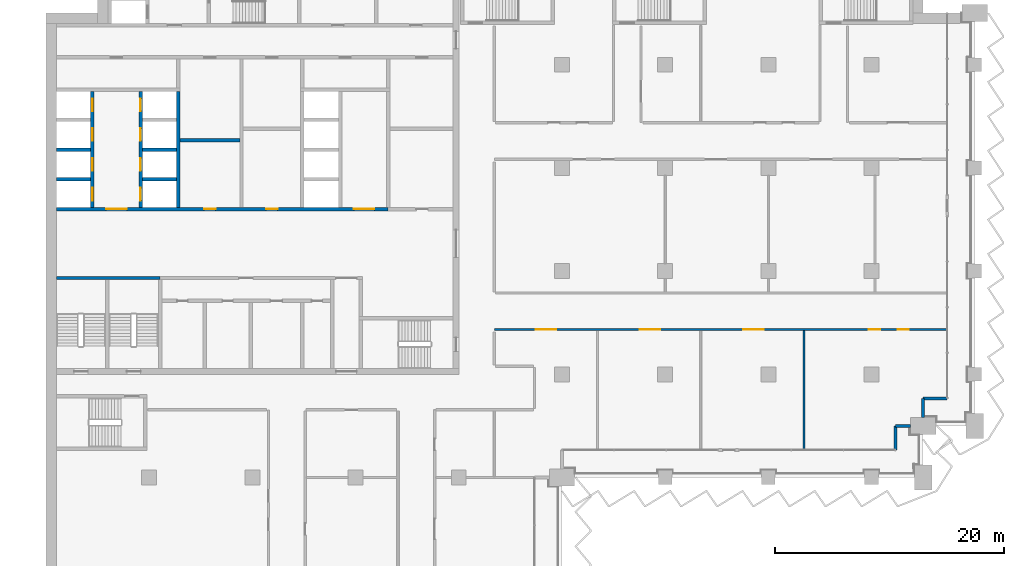
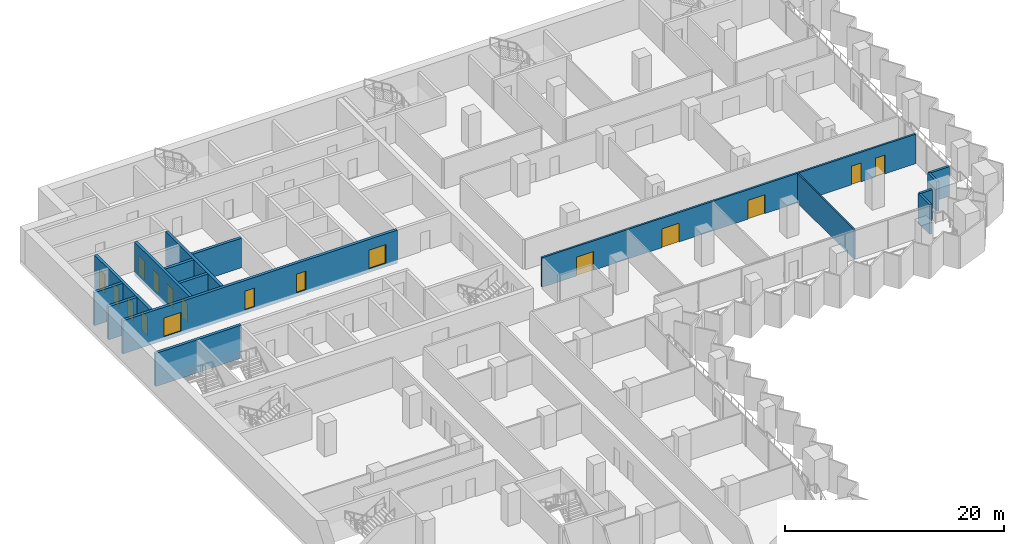
# One storey, part 12 of 22: 17 doors, 16 walls, 17 openings.
"""IFC4 building model written with IfcOpenShell, lengths in metres."""

from ifc_helpers import new_model, si_unit, direction, frame, frame_2d, origin, place, context, subcontext, project, spatial, rectangle, extrude, material, layer, layer_set, type_object, element, fill, save


model = new_model("IFC4")

# Units and contexts
model_context = context("Model", 3, precision=1e-05, world=origin(), true_north=direction((0.0, 1.0)))
body_context = subcontext(model_context, "Body", "Model", "MODEL_VIEW")
ifc_project = project(units=[si_unit("LENGTHUNIT", "METRE"), si_unit("AREAUNIT", "SQUARE_METRE"), si_unit("VOLUMEUNIT", "CUBIC_METRE"), si_unit("PLANEANGLEUNIT", "RADIAN"), si_unit("MASSUNIT", "GRAM", prefix="KILO")], contexts=[model_context])

# Site, building, storey
site_placement = place(None, origin())
site = spatial("IfcSite", under=ifc_project, at=site_placement, CompositionType="ELEMENT")
building_placement = place(site_placement, origin())
building = spatial("IfcBuilding", under=site, at=building_placement, Name="Hunhe Ridgeline Campus", CompositionType="ELEMENT")
storey_placement = place(building_placement, frame((0.0, 0.0, 84.800048828125)))
storey = spatial("IfcBuildingStorey", under=building, at=storey_placement, Name="L20", CompositionType="ELEMENT", Elevation=84.800048828125)

# Walls
ifc_material_1 = material(Name="Masonry concrete blockwork", Category="masonry")
ifc_layer_1 = layer(ifc_material_1, 0.300048828125)
ifc_layer_set_1 = layer_set([ifc_layer_1], Name="Core room partition 300 concrete block")
wall_type_1 = type_object("IfcWallType", Name="Core room partition 300 concrete block", PredefinedType="PARTITIONING", material=ifc_layer_set_1)
wall_1_placement = place(storey_placement, frame((11.699951171875, 83.39990234375, 0.0), z_axis=(0.0, 0.0, 1.0), x_axis=(1.0, 0.0, 0.0)))
element("IfcWall", 1, at=wall_1_placement, inside=storey, type_object=wall_type_1, Name="L20 core partition 20", PredefinedType="PARTITIONING", context=body_context, shape_type="SweptSolid", body=[
    extrude(rectangle(XDim=5.199951171875, YDim=0.300048828125, at=frame_2d((2.60009765625, 0.0))), origin(), (0.0, 0.0, 1.0), 3.300048828125),
])
ifc_material_2 = material(Name="Concrete C30", Category="concrete")
ifc_layer_2 = layer(ifc_material_2, 0.25)
ifc_layer_set_2 = layer_set([ifc_layer_2], Name="Corner return wall 250 Concrete C30")
wall_type_2 = type_object("IfcWallType", Name="Corner return wall 250 Concrete C30", PredefinedType="SOLIDWALL", material=ifc_layer_set_2)
wall_2_placement = place(storey_placement, frame((74.09912109375, 56.40087890625, 0.0), z_axis=(0.0, 0.0, 1.0), x_axis=(0.00011626555, 0.999999993241, 0.0)))
element("IfcWall", 2, at=wall_2_placement, inside=storey, type_object=wall_type_2, Name="Corner return wall 4", PredefinedType="SOLIDWALL", context=body_context, shape_type="SweptSolid", body=[
    extrude(rectangle(XDim=2.099853515625, YDim=0.25, at=frame_2d((1.0498046875, 0.0))), origin(), (0.0, 0.0, 1.0), 3.300048828125),
])
wall_3_placement = place(storey_placement, frame((74.099365234375, 58.500732421875, 0.0), z_axis=(0.0, 0.0, 1.0), x_axis=(0.99999998238, 0.000187722918, 0.0)))
element("IfcWall", 3, at=wall_3_placement, inside=storey, type_object=wall_type_2, Name="Corner return wall 5", PredefinedType="SOLIDWALL", context=body_context, shape_type="SweptSolid", body=[
    extrude(rectangle(XDim=1.300537109375, YDim=0.25, at=frame_2d((0.650390625, 0.0))), origin(), (0.0, 0.0, 1.0), 3.300048828125),
])
wall_4_placement = place(storey_placement, frame((76.4990234375, 59.25, 0.0), z_axis=(0.0, 0.0, 1.0), x_axis=(0.000147907113, 0.999999989062, 0.0)))
element("IfcWall", 4, at=wall_4_placement, inside=storey, type_object=wall_type_2, Name="Corner return wall 6", PredefinedType="SOLIDWALL", context=body_context, shape_type="SweptSolid", body=[
    extrude(rectangle(XDim=1.650634765625, YDim=0.25, at=frame_2d((0.8251953125, 0.0))), origin(), (0.0, 0.0, 1.0), 3.300048828125),
])
wall_5_placement = place(storey_placement, frame((76.499267578125, 60.900634765625, 0.0), z_axis=(0.0, 0.0, 1.0), x_axis=(0.999999993241, 0.00011626555, 0.0)))
element("IfcWall", 5, at=wall_5_placement, inside=storey, type_object=wall_type_2, Name="Corner return wall 7", PredefinedType="SOLIDWALL", context=body_context, shape_type="SweptSolid", body=[
    extrude(rectangle(XDim=2.099853515625, YDim=0.25, at=frame_2d((1.0498046875, 0.0))), origin(), (0.0, 0.0, 1.0), 3.300048828125),
])

# Wall, openings, doors
ifc_material_3 = material(Name="Gypsum board partition")
ifc_layer_3 = layer(ifc_material_3, 0.199951171875)
ifc_layer_set_3 = layer_set([ifc_layer_3], Name="Corridor partition 200 gypsum board on steel studs")
wall_type_3 = type_object("IfcWallType", Name="Corridor partition 200 gypsum board on steel studs", PredefinedType="PARTITIONING", material=ifc_layer_set_3)
wall_6_placement = place(storey_placement, frame((78.544921875, 66.89990234375, 0.0), z_axis=(0.0, 0.0, 1.0), x_axis=(-1.0, 0.0, 0.0)))
wall_6 = element("IfcWall", 6, at=wall_6_placement, inside=storey, type_object=wall_type_3, Name="F-L20-wall-038", PredefinedType="PARTITIONING", context=body_context, shape_type="SweptSolid", body=[
    extrude(rectangle(XDim=39.44482421875, YDim=0.199951171875, at=frame_2d((19.722412109375, 0.0))), origin(), (0.0, 0.0, 1.0), 3.300048828125),
])
opening_1_placement = place(wall_6_placement, frame((34.022705078125, 0.0, 0.0)))
opening_1 = element("IfcOpeningElement", 7, at=opening_1_placement, cuts=wall_6, Name="Opening RD2-022", PredefinedType="OPENING", context=body_context, shape_type="SweptSolid", body=[
    extrude(rectangle(XDim=1.800048828125, YDim=2.10009765625, at=frame_2d((0.89990234375, 1.050048828125))), frame((0.0, 0.10009765625, 0.0), z_axis=(0.0, -1.0, 0.0), x_axis=(1.0, 0.0, 0.0)), (0.0, 0.0, 1.0), 0.199951171875),
])
opening_2_placement = place(wall_6_placement, frame((24.977783203125, 0.0, 0.0)))
opening_2 = element("IfcOpeningElement", 8, at=opening_2_placement, cuts=wall_6, Name="Opening RD2-023", PredefinedType="OPENING", context=body_context, shape_type="SweptSolid", body=[
    extrude(rectangle(XDim=1.800048828125, YDim=2.10009765625, at=frame_2d((0.89990234375, 1.050048828125))), frame((0.0, 0.10009765625, 0.0), z_axis=(0.0, -1.0, 0.0), x_axis=(1.0, 0.0, 0.0)), (0.0, 0.0, 1.0), 0.199951171875),
])
opening_3_placement = place(wall_6_placement, frame((15.93310546875, 0.0, 0.0)))
opening_3 = element("IfcOpeningElement", 9, at=opening_3_placement, cuts=wall_6, Name="Opening RD2-024", PredefinedType="OPENING", context=body_context, shape_type="SweptSolid", body=[
    extrude(rectangle(XDim=1.800048828125, YDim=2.10009765625, at=frame_2d((0.89990234375, 1.050048828125))), frame((0.0, 0.10009765625, 0.0), z_axis=(0.0, -1.0, 0.0), x_axis=(1.0, 0.0, 0.0)), (0.0, 0.0, 1.0), 0.199951171875),
])
opening_4_placement = place(wall_6_placement, frame((5.781005859375, 0.0, 0.0)))
opening_4 = element("IfcOpeningElement", 10, at=opening_4_placement, cuts=wall_6, Name="Opening RD1-025", PredefinedType="OPENING", context=body_context, shape_type="SweptSolid", body=[
    extrude(rectangle(XDim=1.0, YDim=2.10009765625, at=frame_2d((0.5, 1.050048828125))), frame((0.0, 0.10009765625, 0.0), z_axis=(0.0, -1.0, 0.0), x_axis=(1.0, 0.0, 0.0)), (0.0, 0.0, 1.0), 0.199951171875),
])
opening_5_placement = place(wall_6_placement, frame((3.281005859375, 0.0, 0.0)))
opening_5 = element("IfcOpeningElement", 11, at=opening_5_placement, cuts=wall_6, Name="Opening RD1-026", PredefinedType="OPENING", context=body_context, shape_type="SweptSolid", body=[
    extrude(rectangle(XDim=1.0, YDim=2.10009765625, at=frame_2d((0.5, 1.050048828125))), frame((0.0, 0.10009765625, 0.0), z_axis=(0.0, -1.0, 0.0), x_axis=(1.0, 0.0, 0.0)), (0.0, 0.0, 1.0), 0.199951171875),
])
ifc_material_4 = material(Name="Timber door leaf", Category="wood")
door_type_1 = type_object("IfcDoorType", Name="Double fire door 1800x2100 timber FD60", OperationType="DOUBLE_DOOR_SINGLE_SWING", PredefinedType="DOOR", material=ifc_material_4)
door_1_placement = place(opening_1_placement, origin())
door_1 = element("IfcDoor", 12, at=door_1_placement, inside=storey, type_object=door_type_1, Name="F-L20-door-022", OperationType="DOUBLE_DOOR_SINGLE_SWING", OverallHeight=2.10009765625, OverallWidth=1.800048828125, PredefinedType="DOOR", context=body_context, shape_type="SweptSolid", body=[
    extrude(rectangle(XDim=1.800048828125, YDim=2.10009765625, at=frame_2d((0.89990234375, 1.050048828125))), frame((0.0, 0.02490234375, 0.0), z_axis=(0.0, -1.0, 0.0), x_axis=(1.0, 0.0, 0.0)), (0.0, 0.0, 1.0), 0.050048828125),
])
fill(opening_1, door_1)
door_2_placement = place(opening_2_placement, origin())
door_2 = element("IfcDoor", 13, at=door_2_placement, inside=storey, type_object=door_type_1, Name="F-L20-door-023", OperationType="DOUBLE_DOOR_SINGLE_SWING", OverallHeight=2.10009765625, OverallWidth=1.800048828125, PredefinedType="DOOR", context=body_context, shape_type="SweptSolid", body=[
    extrude(rectangle(XDim=1.800048828125, YDim=2.10009765625, at=frame_2d((0.89990234375, 1.050048828125))), frame((0.0, 0.02490234375, 0.0), z_axis=(0.0, -1.0, 0.0), x_axis=(1.0, 0.0, 0.0)), (0.0, 0.0, 1.0), 0.050048828125),
])
fill(opening_2, door_2)
door_3_placement = place(opening_3_placement, origin())
door_3 = element("IfcDoor", 14, at=door_3_placement, inside=storey, type_object=door_type_1, Name="F-L20-door-024", OperationType="DOUBLE_DOOR_SINGLE_SWING", OverallHeight=2.10009765625, OverallWidth=1.800048828125, PredefinedType="DOOR", context=body_context, shape_type="SweptSolid", body=[
    extrude(rectangle(XDim=1.800048828125, YDim=2.10009765625, at=frame_2d((0.89990234375, 1.050048828125))), frame((0.0, 0.02490234375, 0.0), z_axis=(0.0, -1.0, 0.0), x_axis=(1.0, 0.0, 0.0)), (0.0, 0.0, 1.0), 0.050048828125),
])
fill(opening_3, door_3)
door_type_2 = type_object("IfcDoorType", Name="Single fire door 1000x2100 timber FD60", OperationType="NOTDEFINED", PredefinedType="DOOR", material=ifc_material_4)
door_4_placement = place(opening_4_placement, frame((1.0, 0.0, 0.0), z_axis=(0.0, 0.0, 1.0), x_axis=(-1.0, 0.0, 0.0)))
door_4 = element("IfcDoor", 15, at=door_4_placement, inside=storey, type_object=door_type_2, Name="F-L20-door-025", OperationType="SINGLE_SWING_RIGHT", OverallHeight=2.10009765625, OverallWidth=1.0, PredefinedType="DOOR", context=body_context, shape_type="SweptSolid", body=[
    extrude(rectangle(XDim=1.0, YDim=2.10009765625, at=frame_2d((0.5, 1.050048828125))), frame((0.0, 0.02490234375, 0.0), z_axis=(0.0, -1.0, 0.0), x_axis=(1.0, 0.0, 0.0)), (0.0, 0.0, 1.0), 0.050048828125),
])
fill(opening_4, door_4)
door_5_placement = place(opening_5_placement, frame((1.0, 0.0, 0.0), z_axis=(0.0, 0.0, 1.0), x_axis=(-1.0, 0.0, 0.0)))
door_5 = element("IfcDoor", 16, at=door_5_placement, inside=storey, type_object=door_type_2, Name="F-L20-door-026", OperationType="SINGLE_SWING_RIGHT", OverallHeight=2.10009765625, OverallWidth=1.0, PredefinedType="DOOR", context=body_context, shape_type="SweptSolid", body=[
    extrude(rectangle(XDim=1.0, YDim=2.10009765625, at=frame_2d((0.5, 1.050048828125))), frame((0.0, 0.02490234375, 0.0), z_axis=(0.0, -1.0, 0.0), x_axis=(1.0, 0.0, 0.0)), (0.0, 0.0, 1.0), 0.050048828125),
])
fill(opening_5, door_5)

# Wall
ifc_layer_4 = layer(ifc_material_3, 0.14990234375)
ifc_layer_set_4 = layer_set([ifc_layer_4], Name="Room partition 150 gypsum board on steel studs")
wall_type_4 = type_object("IfcWallType", Name="Room partition 150 gypsum board on steel studs", PredefinedType="PARTITIONING", material=ifc_layer_set_4)
wall_7_placement = place(storey_placement, frame((66.10009765625, 66.800048828125, 0.0), z_axis=(0.0, 0.0, 1.0), x_axis=(0.0, -1.0, 0.0)))
element("IfcWall", 17, at=wall_7_placement, inside=storey, type_object=wall_type_4, Name="F-L20-wall-069", PredefinedType="PARTITIONING", context=body_context, shape_type="SweptSolid", body=[
    extrude(rectangle(XDim=10.344970703125, YDim=0.14990234375, at=frame_2d((5.17236328125, 0.0))), origin(), (0.0, 0.0, 1.0), 3.300048828125),
])

# Wall, openings, doors
ifc_material_5 = material(Name="Concrete C80", Category="concrete")
ifc_layer_5 = layer(ifc_material_5, 0.300048828125)
ifc_layer_set_5 = layer_set([ifc_layer_5], Name="Shaft wall 300 reinforced concrete C80")
wall_type_5 = type_object("IfcWallType", Name="Shaft wall 300 reinforced concrete C80", PredefinedType="SOLIDWALL", material=ifc_layer_set_5)
wall_8_placement = place(storey_placement, frame((0.89990234375, 77.39990234375, -0.400146484375), z_axis=(0.0, 0.0, 1.0), x_axis=(1.0, 0.0, 0.0)))
wall_8 = element("IfcWall", 18, at=wall_8_placement, inside=storey, type_object=wall_type_5, Name="L20 core wall 12", PredefinedType="SOLIDWALL", context=body_context, shape_type="SweptSolid", body=[
    extrude(rectangle(XDim=28.9501953125, YDim=0.300048828125, at=frame_2d((14.47509765625, 0.0))), origin(), (0.0, 0.0, 1.0), 3.7001953125),
])
opening_6_placement = place(wall_8_placement, frame((4.35009765625, 0.0, 0.39990234375)))
opening_6 = element("IfcOpeningElement", 19, at=opening_6_placement, cuts=wall_8, Name="Opening CD1", PredefinedType="OPENING", context=body_context, shape_type="SweptSolid", body=[
    extrude(rectangle(XDim=1.800048828125, YDim=2.10009765625, at=frame_2d((0.89990234375, 1.050048828125))), frame((0.0, 0.14990234375, 0.0), z_axis=(0.0, -1.0, 0.0), x_axis=(1.0, 0.0, 0.0)), (0.0, 0.0, 1.0), 0.300048828125),
])
opening_7_placement = place(wall_8_placement, frame((25.949951171875, 0.0, 0.39990234375)))
opening_7 = element("IfcOpeningElement", 20, at=opening_7_placement, cuts=wall_8, Name="Opening CD2", PredefinedType="OPENING", context=body_context, shape_type="SweptSolid", body=[
    extrude(rectangle(XDim=1.800048828125, YDim=2.10009765625, at=frame_2d((0.89990234375, 1.050048828125))), frame((0.0, 0.14990234375, 0.0), z_axis=(0.0, -1.0, 0.0), x_axis=(1.0, 0.0, 0.0)), (0.0, 0.0, 1.0), 0.300048828125),
])
opening_8_placement = place(wall_8_placement, frame((12.89990234375, 0.0, 0.39990234375)))
opening_8 = element("IfcOpeningElement", 21, at=opening_8_placement, cuts=wall_8, Name="Opening CD28", PredefinedType="OPENING", context=body_context, shape_type="SweptSolid", body=[
    extrude(rectangle(XDim=1.0, YDim=2.10009765625, at=frame_2d((0.5, 1.050048828125))), frame((0.0, 0.14990234375, 0.0), z_axis=(0.0, -1.0, 0.0), x_axis=(1.0, 0.0, 0.0)), (0.0, 0.0, 1.0), 0.300048828125),
])
opening_9_placement = place(wall_8_placement, frame((18.300048828125, 0.0, 0.39990234375)))
opening_9 = element("IfcOpeningElement", 22, at=opening_9_placement, cuts=wall_8, Name="Opening CD30", PredefinedType="OPENING", context=body_context, shape_type="SweptSolid", body=[
    extrude(rectangle(XDim=1.0, YDim=2.10009765625, at=frame_2d((0.5, 1.050048828125))), frame((0.0, 0.14990234375, 0.0), z_axis=(0.0, -1.0, 0.0), x_axis=(1.0, 0.0, 0.0)), (0.0, 0.0, 1.0), 0.300048828125),
])
ifc_material_6 = material(Name="Hollow metal fire door leaf")
door_type_3 = type_object("IfcDoorType", Name="Lobby door 1800x2100 FD60", OperationType="SINGLE_SWING_LEFT", PredefinedType="DOOR", material=ifc_material_6)
door_6_placement = place(opening_6_placement, frame((1.800048828125, 0.0, 0.0), z_axis=(0.0, 0.0, 1.0), x_axis=(-1.0, 0.0, 0.0)))
door_6 = element("IfcDoor", 23, at=door_6_placement, inside=storey, type_object=door_type_3, Name="L20 door LOB-LR", OperationType="SINGLE_SWING_RIGHT", OverallHeight=2.10009765625, OverallWidth=1.800048828125, PredefinedType="DOOR", context=body_context, shape_type="SweptSolid", body=[
    extrude(rectangle(XDim=1.800048828125, YDim=2.10009765625, at=frame_2d((0.89990234375, 1.050048828125))), frame((0.0, 0.02490234375, 0.0), z_axis=(0.0, -1.0, 0.0), x_axis=(1.0, 0.0, 0.0)), (0.0, 0.0, 1.0), 0.050048828125),
])
fill(opening_6, door_6)
door_7_placement = place(opening_7_placement, frame((1.800048828125, 0.0, 0.0), z_axis=(0.0, 0.0, 1.0), x_axis=(-1.0, 0.0, 0.0)))
door_7 = element("IfcDoor", 24, at=door_7_placement, inside=storey, type_object=door_type_3, Name="L20 door LOB-SH", OperationType="SINGLE_SWING_LEFT", OverallHeight=2.10009765625, OverallWidth=1.800048828125, PredefinedType="DOOR", context=body_context, shape_type="SweptSolid", body=[
    extrude(rectangle(XDim=1.800048828125, YDim=2.10009765625, at=frame_2d((0.89990234375, 1.050048828125))), frame((0.0, 0.02490234375, 0.0), z_axis=(0.0, -1.0, 0.0), x_axis=(1.0, 0.0, 0.0)), (0.0, 0.0, 1.0), 0.050048828125),
])
fill(opening_7, door_7)
ifc_material_7 = material(Name="Solid core timber door leaf", Category="wood")
door_type_4 = type_object("IfcDoorType", Name="Timber door 1000x2100", OperationType="SINGLE_SWING_LEFT", PredefinedType="DOOR", material=ifc_material_7)
door_8_placement = place(opening_8_placement, origin())
door_8 = element("IfcDoor", 25, at=door_8_placement, inside=storey, type_object=door_type_4, Name="L20 door VD-HR0", OperationType="SINGLE_SWING_LEFT", OverallHeight=2.10009765625, OverallWidth=1.0, PredefinedType="DOOR", context=body_context, shape_type="SweptSolid", body=[
    extrude(rectangle(XDim=1.0, YDim=2.10009765625, at=frame_2d((0.5, 1.050048828125))), frame((0.0, 0.02490234375, 0.0), z_axis=(0.0, -1.0, 0.0), x_axis=(1.0, 0.0, 0.0)), (0.0, 0.0, 1.0), 0.050048828125),
])
fill(opening_8, door_8)
door_9_placement = place(opening_9_placement, origin())
door_9 = element("IfcDoor", 26, at=door_9_placement, inside=storey, type_object=door_type_4, Name="L20 door VD-HR2", OperationType="SINGLE_SWING_LEFT", OverallHeight=2.10009765625, OverallWidth=1.0, PredefinedType="DOOR", context=body_context, shape_type="SweptSolid", body=[
    extrude(rectangle(XDim=1.0, YDim=2.10009765625, at=frame_2d((0.5, 1.050048828125))), frame((0.0, 0.02490234375, 0.0), z_axis=(0.0, -1.0, 0.0), x_axis=(1.0, 0.0, 0.0)), (0.0, 0.0, 1.0), 0.050048828125),
])
fill(opening_9, door_9)

# Walls
for number, where, z_axis, x_axis, name in (
    (27, (0.89990234375, 80.0, -0.400146484375), (0.0, 0.0, 1.0), (1.0, 0.0, 0.0), "L20 core wall 14"),
    (28, (8.39990234375, 80.0, -0.400146484375), (0.0, 0.0, 1.0), (1.0, 0.0, 0.0), "L20 core wall 15"),
    (29, (0.89990234375, 82.60009765625, -0.400146484375), (0.0, 0.0, 1.0), (1.0, 0.0, 0.0), "L20 core wall 17"),
    (30, (8.39990234375, 82.60009765625, -0.400146484375), (0.0, 0.0, 1.0), (1.0, 0.0, 0.0), "L20 core wall 18"),
):
    element("IfcWall", number, at=place(storey_placement, frame(where, z_axis=z_axis, x_axis=x_axis)), inside=storey, type_object=wall_type_5, Name=name, PredefinedType="SOLIDWALL", context=body_context, shape_type="SweptSolid", body=[
        extrude(rectangle(XDim=3.0, YDim=0.300048828125, at=frame_2d((1.5, 0.0))), origin(), (0.0, 0.0, 1.0), 3.7001953125),
    ])

# Wall, openings, doors
wall_9_placement = place(storey_placement, frame((4.050048828125, 77.550048828125, -0.400146484375), z_axis=(0.0, 0.0, 1.0), x_axis=(0.0, 1.0, 0.0)))
wall_9 = element("IfcWall", 31, at=wall_9_placement, inside=storey, type_object=wall_type_5, Name="L20 core wall 34", PredefinedType="SOLIDWALL", context=body_context, shape_type="SweptSolid", body=[
    extrude(rectangle(XDim=10.099853515625, YDim=0.300048828125, at=frame_2d((5.0498046875, 0.0))), origin(), (0.0, 0.0, 1.0), 3.7001953125),
])
opening_10_placement = place(wall_9_placement, frame((0.60009765625, 0.0, 0.39990234375)))
opening_10 = element("IfcOpeningElement", 32, at=opening_10_placement, cuts=wall_9, Name="Opening LD-LR1", PredefinedType="OPENING", context=body_context, shape_type="SweptSolid", body=[
    extrude(rectangle(XDim=1.10009765625, YDim=2.10009765625, at=frame_2d((0.550048828125, 1.050048828125))), frame((0.0, 0.14990234375, 0.0), z_axis=(0.0, -1.0, 0.0), x_axis=(1.0, 0.0, 0.0)), (0.0, 0.0, 1.0), 0.300048828125),
])
opening_11_placement = place(wall_9_placement, frame((3.199951171875, 0.0, 0.39990234375)))
opening_11 = element("IfcOpeningElement", 33, at=opening_11_placement, cuts=wall_9, Name="Opening LD-LR2", PredefinedType="OPENING", context=body_context, shape_type="SweptSolid", body=[
    extrude(rectangle(XDim=1.10009765625, YDim=2.10009765625, at=frame_2d((0.550048828125, 1.050048828125))), frame((0.0, 0.14990234375, 0.0), z_axis=(0.0, -1.0, 0.0), x_axis=(1.0, 0.0, 0.0)), (0.0, 0.0, 1.0), 0.300048828125),
])
opening_12_placement = place(wall_9_placement, frame((5.800048828125, 0.0, 0.39990234375)))
opening_12 = element("IfcOpeningElement", 34, at=opening_12_placement, cuts=wall_9, Name="Opening LD-LR3", PredefinedType="OPENING", context=body_context, shape_type="SweptSolid", body=[
    extrude(rectangle(XDim=1.10009765625, YDim=2.10009765625, at=frame_2d((0.550048828125, 1.050048828125))), frame((0.0, 0.14990234375, 0.0), z_axis=(0.0, -1.0, 0.0), x_axis=(1.0, 0.0, 0.0)), (0.0, 0.0, 1.0), 0.300048828125),
])
opening_13_placement = place(wall_9_placement, frame((8.39990234375, 0.0, 0.39990234375)))
opening_13 = element("IfcOpeningElement", 35, at=opening_13_placement, cuts=wall_9, Name="Opening LD-LR4", PredefinedType="OPENING", context=body_context, shape_type="SweptSolid", body=[
    extrude(rectangle(XDim=1.10009765625, YDim=2.10009765625, at=frame_2d((0.550048828125, 1.050048828125))), frame((0.0, 0.14990234375, 0.0), z_axis=(0.0, -1.0, 0.0), x_axis=(1.0, 0.0, 0.0)), (0.0, 0.0, 1.0), 0.300048828125),
])
ifc_material_8 = material(Name="Stainless steel sliding leaves", Category="steel")
door_type_5 = type_object("IfcDoorType", Name="Landing door 1100x2100 FD120", OperationType="SLIDING_TO_LEFT", PredefinedType="DOOR", material=ifc_material_8)
door_10_placement = place(opening_10_placement, origin())
door_10 = element("IfcDoor", 36, at=door_10_placement, inside=storey, type_object=door_type_5, Name="L20 landing door LR1", OperationType="SLIDING_TO_RIGHT", OverallHeight=2.10009765625, OverallWidth=1.10009765625, PredefinedType="DOOR", context=body_context, shape_type="SweptSolid", body=[
    extrude(rectangle(XDim=1.10009765625, YDim=2.10009765625, at=frame_2d((0.550048828125, 1.050048828125))), frame((0.0, 0.02490234375, 0.0), z_axis=(0.0, -1.0, 0.0), x_axis=(1.0, 0.0, 0.0)), (0.0, 0.0, 1.0), 0.050048828125),
])
fill(opening_10, door_10)
door_11_placement = place(opening_11_placement, origin())
door_11 = element("IfcDoor", 37, at=door_11_placement, inside=storey, type_object=door_type_5, Name="L20 landing door LR2", OperationType="SLIDING_TO_LEFT", OverallHeight=2.10009765625, OverallWidth=1.10009765625, PredefinedType="DOOR", context=body_context, shape_type="SweptSolid", body=[
    extrude(rectangle(XDim=1.10009765625, YDim=2.10009765625, at=frame_2d((0.550048828125, 1.050048828125))), frame((0.0, 0.02490234375, 0.0), z_axis=(0.0, -1.0, 0.0), x_axis=(1.0, 0.0, 0.0)), (0.0, 0.0, 1.0), 0.050048828125),
])
fill(opening_11, door_11)
door_12_placement = place(opening_12_placement, origin())
door_12 = element("IfcDoor", 38, at=door_12_placement, inside=storey, type_object=door_type_5, Name="L20 landing door LR3", OperationType="SLIDING_TO_RIGHT", OverallHeight=2.10009765625, OverallWidth=1.10009765625, PredefinedType="DOOR", context=body_context, shape_type="SweptSolid", body=[
    extrude(rectangle(XDim=1.10009765625, YDim=2.10009765625, at=frame_2d((0.550048828125, 1.050048828125))), frame((0.0, 0.02490234375, 0.0), z_axis=(0.0, -1.0, 0.0), x_axis=(1.0, 0.0, 0.0)), (0.0, 0.0, 1.0), 0.050048828125),
])
fill(opening_12, door_12)
door_13_placement = place(opening_13_placement, origin())
door_13 = element("IfcDoor", 39, at=door_13_placement, inside=storey, type_object=door_type_5, Name="L20 landing door LR4", OperationType="SLIDING_TO_LEFT", OverallHeight=2.10009765625, OverallWidth=1.10009765625, PredefinedType="DOOR", context=body_context, shape_type="SweptSolid", body=[
    extrude(rectangle(XDim=1.10009765625, YDim=2.10009765625, at=frame_2d((0.550048828125, 1.050048828125))), frame((0.0, 0.02490234375, 0.0), z_axis=(0.0, -1.0, 0.0), x_axis=(1.0, 0.0, 0.0)), (0.0, 0.0, 1.0), 0.050048828125),
])
fill(opening_13, door_13)

wall_10_placement = place(storey_placement, frame((8.25, 77.550048828125, -0.400146484375), z_axis=(0.0, 0.0, 1.0), x_axis=(0.0, 1.0, 0.0)))
wall_10 = element("IfcWall", 40, at=wall_10_placement, inside=storey, type_object=wall_type_5, Name="L20 core wall 37", PredefinedType="SOLIDWALL", context=body_context, shape_type="SweptSolid", body=[
    extrude(rectangle(XDim=10.099853515625, YDim=0.300048828125, at=frame_2d((5.0498046875, 0.0))), origin(), (0.0, 0.0, 1.0), 3.7001953125),
])
opening_14_placement = place(wall_10_placement, frame((0.60009765625, 0.0, 0.39990234375)))
opening_14 = element("IfcOpeningElement", 41, at=opening_14_placement, cuts=wall_10, Name="Opening LD-LR5", PredefinedType="OPENING", context=body_context, shape_type="SweptSolid", body=[
    extrude(rectangle(XDim=1.10009765625, YDim=2.10009765625, at=frame_2d((0.550048828125, 1.050048828125))), frame((0.0, 0.14990234375, 0.0), z_axis=(0.0, -1.0, 0.0), x_axis=(1.0, 0.0, 0.0)), (0.0, 0.0, 1.0), 0.300048828125),
])
opening_15_placement = place(wall_10_placement, frame((3.199951171875, 0.0, 0.39990234375)))
opening_15 = element("IfcOpeningElement", 42, at=opening_15_placement, cuts=wall_10, Name="Opening LD-LR6", PredefinedType="OPENING", context=body_context, shape_type="SweptSolid", body=[
    extrude(rectangle(XDim=1.10009765625, YDim=2.10009765625, at=frame_2d((0.550048828125, 1.050048828125))), frame((0.0, 0.14990234375, 0.0), z_axis=(0.0, -1.0, 0.0), x_axis=(1.0, 0.0, 0.0)), (0.0, 0.0, 1.0), 0.300048828125),
])
opening_16_placement = place(wall_10_placement, frame((5.800048828125, 0.0, 0.39990234375)))
opening_16 = element("IfcOpeningElement", 43, at=opening_16_placement, cuts=wall_10, Name="Opening LD-LR7", PredefinedType="OPENING", context=body_context, shape_type="SweptSolid", body=[
    extrude(rectangle(XDim=1.10009765625, YDim=2.10009765625, at=frame_2d((0.550048828125, 1.050048828125))), frame((0.0, 0.14990234375, 0.0), z_axis=(0.0, -1.0, 0.0), x_axis=(1.0, 0.0, 0.0)), (0.0, 0.0, 1.0), 0.300048828125),
])
opening_17_placement = place(wall_10_placement, frame((8.39990234375, 0.0, 0.39990234375)))
opening_17 = element("IfcOpeningElement", 44, at=opening_17_placement, cuts=wall_10, Name="Opening LD-LR8", PredefinedType="OPENING", context=body_context, shape_type="SweptSolid", body=[
    extrude(rectangle(XDim=1.10009765625, YDim=2.10009765625, at=frame_2d((0.550048828125, 1.050048828125))), frame((0.0, 0.14990234375, 0.0), z_axis=(0.0, -1.0, 0.0), x_axis=(1.0, 0.0, 0.0)), (0.0, 0.0, 1.0), 0.300048828125),
])
door_14_placement = place(opening_14_placement, origin())
door_14 = element("IfcDoor", 45, at=door_14_placement, inside=storey, type_object=door_type_5, Name="L20 landing door LR5", OperationType="SLIDING_TO_RIGHT", OverallHeight=2.10009765625, OverallWidth=1.10009765625, PredefinedType="DOOR", context=body_context, shape_type="SweptSolid", body=[
    extrude(rectangle(XDim=1.10009765625, YDim=2.10009765625, at=frame_2d((0.550048828125, 1.050048828125))), frame((0.0, 0.02490234375, 0.0), z_axis=(0.0, -1.0, 0.0), x_axis=(1.0, 0.0, 0.0)), (0.0, 0.0, 1.0), 0.050048828125),
])
fill(opening_14, door_14)
door_15_placement = place(opening_15_placement, origin())
door_15 = element("IfcDoor", 46, at=door_15_placement, inside=storey, type_object=door_type_5, Name="L20 landing door LR6", OperationType="SLIDING_TO_LEFT", OverallHeight=2.10009765625, OverallWidth=1.10009765625, PredefinedType="DOOR", context=body_context, shape_type="SweptSolid", body=[
    extrude(rectangle(XDim=1.10009765625, YDim=2.10009765625, at=frame_2d((0.550048828125, 1.050048828125))), frame((0.0, 0.02490234375, 0.0), z_axis=(0.0, -1.0, 0.0), x_axis=(1.0, 0.0, 0.0)), (0.0, 0.0, 1.0), 0.050048828125),
])
fill(opening_15, door_15)
door_16_placement = place(opening_16_placement, origin())
door_16 = element("IfcDoor", 47, at=door_16_placement, inside=storey, type_object=door_type_5, Name="L20 landing door LR7", OperationType="SLIDING_TO_RIGHT", OverallHeight=2.10009765625, OverallWidth=1.10009765625, PredefinedType="DOOR", context=body_context, shape_type="SweptSolid", body=[
    extrude(rectangle(XDim=1.10009765625, YDim=2.10009765625, at=frame_2d((0.550048828125, 1.050048828125))), frame((0.0, 0.02490234375, 0.0), z_axis=(0.0, -1.0, 0.0), x_axis=(1.0, 0.0, 0.0)), (0.0, 0.0, 1.0), 0.050048828125),
])
fill(opening_16, door_16)
door_17_placement = place(opening_17_placement, origin())
door_17 = element("IfcDoor", 48, at=door_17_placement, inside=storey, type_object=door_type_5, Name="L20 landing door LR8", OperationType="SLIDING_TO_LEFT", OverallHeight=2.10009765625, OverallWidth=1.10009765625, PredefinedType="DOOR", context=body_context, shape_type="SweptSolid", body=[
    extrude(rectangle(XDim=1.10009765625, YDim=2.10009765625, at=frame_2d((0.550048828125, 1.050048828125))), frame((0.0, 0.02490234375, 0.0), z_axis=(0.0, -1.0, 0.0), x_axis=(1.0, 0.0, 0.0)), (0.0, 0.0, 1.0), 0.050048828125),
])
fill(opening_17, door_17)

# Walls
wall_11_placement = place(storey_placement, frame((11.550048828125, 77.550048828125, -0.400146484375), z_axis=(0.0, 0.0, 1.0), x_axis=(0.0, 1.0, 0.0)))
element("IfcWall", 49, at=wall_11_placement, inside=storey, type_object=wall_type_5, Name="L20 core wall 42", PredefinedType="SOLIDWALL", context=body_context, shape_type="SweptSolid", body=[
    extrude(rectangle(XDim=10.099853515625, YDim=0.300048828125, at=frame_2d((5.0498046875, 0.0))), origin(), (0.0, 0.0, 1.0), 3.7001953125),
])
ifc_layer_6 = layer(ifc_material_5, 0.300048828125)
ifc_layer_set_6 = layer_set([ifc_layer_6], Name="Stair wall 300 reinforced concrete C80")
wall_type_6 = type_object("IfcWallType", Name="Stair wall 300 reinforced concrete C80", PredefinedType="SOLIDWALL", material=ifc_layer_set_6)
wall_12_placement = place(storey_placement, frame((0.89990234375, 71.39990234375, -0.400146484375), z_axis=(0.0, 0.0, 1.0), x_axis=(1.0, 0.0, 0.0)))
element("IfcWall", 50, at=wall_12_placement, inside=storey, type_object=wall_type_6, Name="L20 core wall 10", PredefinedType="SOLIDWALL", context=body_context, shape_type="SweptSolid", body=[
    extrude(rectangle(XDim=9.050048828125, YDim=0.300048828125, at=frame_2d((4.52490234375, 0.0))), origin(), (0.0, 0.0, 1.0), 3.7001953125),
])

save(model, "model.ifc")
